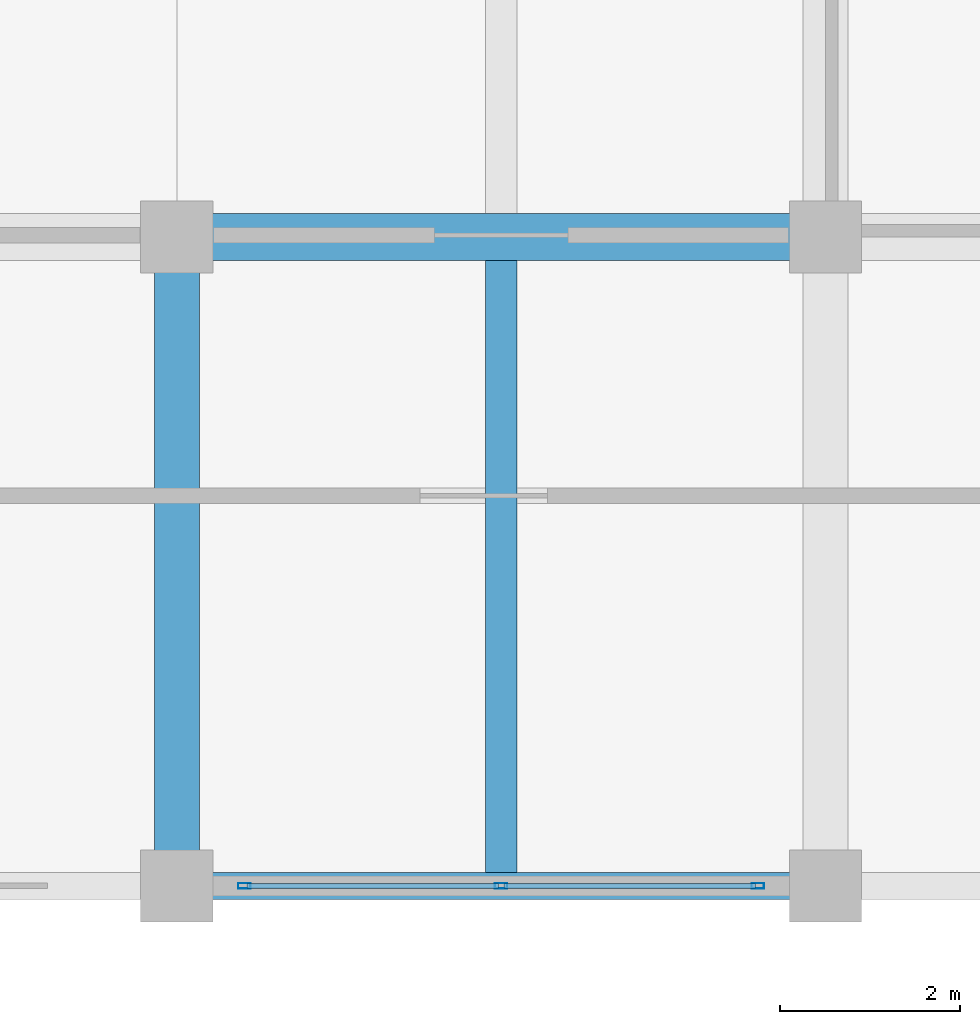
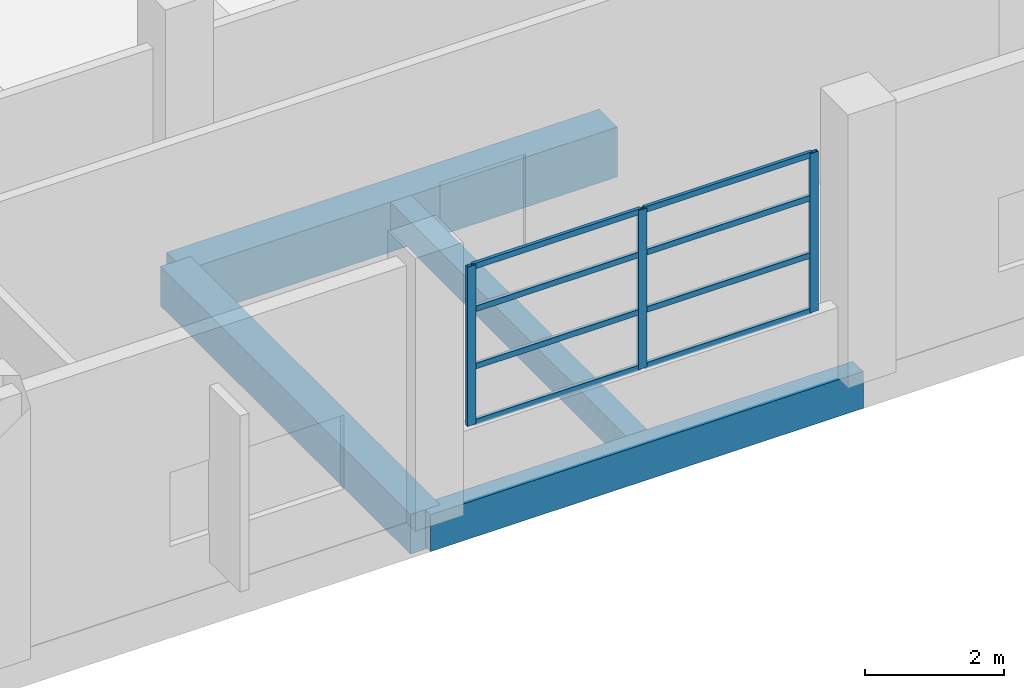
# One storey, part 25 of 140: 11 members, 4 beams, 1 element without a shape of its own.
"""IFC4 building model written with IfcOpenShell, lengths in metres."""

import ifcopenshell
import ifcopenshell.guid

model = None  # the IFC model being written
_history = None  # IfcOwnerHistory: only IFC2X3 demands one
_inside = {}  # id of a spatial element -> (the spatial element, [elements in it])
_under = {}  # id of a project, library or spatial element -> (it, [spatial elements below it])
_declared = {}  # id of a project -> (the project, [libraries it declares])
_typed = {}  # id of a type object -> (the type object, [elements of that type])
_made_of = {}  # id of a material, layer set ... -> (it, [elements and type objects made of it])


def new_model(schema):
    """Start an empty IFC model of exactly this schema.

    Asked for "IFC4X3", IfcOpenShell would pick the latest addendum, in which some entities
    have other attributes; the version numbers below select the first issue.
    IFC2X3 requires an IfcOwnerHistory on every rooted entity: one is made here for all.
    """
    global model, _history
    if schema == "IFC4X3":
        model = ifcopenshell.file(schema_version=(4, 3, 0, 0))
    else:
        model = ifcopenshell.file(schema=schema)
    _inside.clear()
    _under.clear()
    _declared.clear()
    _typed.clear()
    _made_of.clear()
    _history = None
    if model.schema == "IFC2X3":
        org = make("IfcOrganization", Name="unknown")
        user = make(
            "IfcPersonAndOrganization",
            ThePerson=make("IfcPerson", FamilyName="unknown"),
            TheOrganization=org,
        )
        app = make(
            "IfcApplication",
            ApplicationDeveloper=org,
            Version="unknown",
            ApplicationFullName="unknown",
            ApplicationIdentifier="unknown",
        )
        _history = make(
            "IfcOwnerHistory",
            OwningUser=user,
            OwningApplication=app,
            ChangeAction="ADDED",
            CreationDate=0,
        )
    return model


def make(cls, **values):
    """One entity of the class cls with the attributes given. An attribute that is None is left unset."""
    return model.create_entity(
        cls, **{name: value for name, value in values.items() if value is not None}
    )


def rooted(cls, **values):
    """An entity with a GlobalId (a new one), such as an element, a storey or a relation."""
    return make(cls, GlobalId=ifcopenshell.guid.new(), OwnerHistory=_history, **values)


def si_unit(unit_type, name, prefix=None):
    """IfcSIUnit, for example si_unit("LENGTHUNIT", "METRE", prefix="MILLI")."""
    return make("IfcSIUnit", UnitType=unit_type, Prefix=prefix, Name=name)


def assignment(units):
    """IfcUnitAssignment: the units of a project."""
    return None if units is None else make("IfcUnitAssignment", Units=units)


def point(xyz):
    """IfcCartesianPoint."""
    return None if xyz is None else make("IfcCartesianPoint", Coordinates=xyz)


def direction(xyz):
    """IfcDirection."""
    return None if xyz is None else make("IfcDirection", DirectionRatios=xyz)


def frame(location, z_axis=None, x_axis=None):
    """IfcAxis2Placement3D, a coordinate frame: its origin and axes. An axis left out is left unset."""
    return make(
        "IfcAxis2Placement3D",
        Location=point(location),
        Axis=direction(z_axis),
        RefDirection=direction(x_axis),
    )


def frame_2d(location, x_axis=None):
    """IfcAxis2Placement2D, a coordinate frame in the plane: its origin and x axis."""
    return make(
        "IfcAxis2Placement2D", Location=point(location), RefDirection=direction(x_axis)
    )


def origin():
    """The frame at (0, 0, 0) with its axes left unset."""
    return frame((0.0, 0.0, 0.0))


def origin_2d():
    """The frame at (0, 0) in the plane with its x axis left unset."""
    return frame_2d((0.0, 0.0))


def place(relative_to, where):
    """IfcLocalPlacement: puts the frame where relative to a parent placement (None: the world)."""
    return make(
        "IfcLocalPlacement", PlacementRelTo=relative_to, RelativePlacement=where
    )


def context(
    kind, dimensions, precision=None, world=None, true_north=None, identifier=None
):
    """IfcGeometricRepresentationContext, for example the 3D "Model" context."""
    return make(
        "IfcGeometricRepresentationContext",
        ContextIdentifier=identifier,
        ContextType=kind,
        CoordinateSpaceDimension=dimensions,
        Precision=precision,
        WorldCoordinateSystem=world,
        TrueNorth=true_north,
    )


def subcontext(parent, identifier, kind, view, scale=None):
    """IfcGeometricRepresentationSubContext, for example "Body" below "Model"."""
    return make(
        "IfcGeometricRepresentationSubContext",
        ContextIdentifier=identifier,
        ContextType=kind,
        ParentContext=parent,
        TargetScale=scale,
        TargetView=view,
    )


def project(units=None, contexts=None):
    """IfcProject with its units and contexts."""
    return rooted(
        "IfcProject",
        Name="project",
        RepresentationContexts=contexts,
        UnitsInContext=assignment(units),
    )


def spatial(cls, under=None, at=None, **own):
    """A site, building, storey or space (cls), placed at a placement, below another one or the project."""
    s = rooted(cls, ObjectPlacement=at, **own)
    if under is not None:
        _under.setdefault(under.id(), (under, []))[1].append(s)
    return s


def profile(cls, at=None, kind="AREA", **sizes):
    """A parametric profile (cls). Its sizes go by their IFC names, for example OverallWidth=200.0."""
    return make(cls, ProfileType=kind, Position=at, **sizes)


def rectangle(**sizes):
    """IfcRectangleProfileDef."""
    return profile("IfcRectangleProfileDef", **sizes)


def hollow_rectangle(**sizes):
    """IfcRectangleHollowProfileDef."""
    return profile("IfcRectangleHollowProfileDef", **sizes)


def extrude(swept, where, along, depth):
    """IfcExtrudedAreaSolid: the profile swept, set in the frame where, extruded along a direction by depth."""
    return make(
        "IfcExtrudedAreaSolid",
        SweptArea=swept,
        Position=where,
        ExtrudedDirection=direction(along),
        Depth=depth,
    )


def shape(context_of_items, identifier, shape_type, items):
    """IfcShapeRepresentation: the items that make up one representation, for example the "Body"."""
    return make(
        "IfcShapeRepresentation",
        ContextOfItems=context_of_items,
        RepresentationIdentifier=identifier,
        RepresentationType=shape_type,
        Items=items,
    )


def material(Name=None, Category=None):
    """IfcMaterial."""
    return make("IfcMaterial", Name=Name, Category=Category)


def layer(
    of_material, thickness, ventilated=None, Name=None, Category=None, Priority=None
):
    """IfcMaterialLayer: one layer of a wall or slab, of a material (None: an air gap)."""
    return make(
        "IfcMaterialLayer",
        Material=of_material,
        LayerThickness=thickness,
        IsVentilated=ventilated,
        Name=Name,
        Category=Category,
        Priority=Priority,
    )


def layer_set(layers, Name=None):
    """IfcMaterialLayerSet."""
    return make("IfcMaterialLayerSet", MaterialLayers=layers, LayerSetName=Name)


def material_profile(
    of_material, cross_section, Name=None, Category=None, Priority=None
):
    """IfcMaterialProfile: a cross section and its material."""
    return make(
        "IfcMaterialProfile",
        Name=Name,
        Material=of_material,
        Profile=cross_section,
        Priority=Priority,
        Category=Category,
    )


def profile_set(profiles, Name=None, composite=None):
    """IfcMaterialProfileSet."""
    return make(
        "IfcMaterialProfileSet",
        Name=Name,
        MaterialProfiles=profiles,
        CompositeProfile=composite,
    )


def made_of(thing, what):
    """Note that an element or type object is made of a material, layer set ...; save() writes the relation."""
    if what is not None:
        _made_of.setdefault(what.id(), (what, []))[1].append(thing)
    return thing


def type_object(cls, material=None, **own):
    """A type object (cls), such as IfcWallType, which elements share."""
    return made_of(rooted(cls, **own), material)


def element(
    cls,
    number,
    at=None,
    inside=None,
    cuts=None,
    type_object=None,
    material=None,
    context=None,
    identifier="Body",
    shape_type=None,
    held_by="IfcProductDefinitionShape",
    body=None,
    shapes=None,
    **own,
):
    """One element of the class cls, such as IfcWall. Its Tag is "e" and its number.

    at: its placement. inside: the storey or other place that contains it. cuts: it is an
    opening in that element (IfcRelVoidsElement). A single representation is given by context,
    identifier, shape_type and body (its items); several are given by shapes. held_by: the class
    of the entity that holds the representations. save() writes the other relations.
    """
    e = rooted(cls, Tag="e%d" % number, ObjectPlacement=at, **own)
    if body is not None:
        shapes = [shape(context, identifier, shape_type, body)]
    if shapes is not None:
        e.Representation = make(held_by, Representations=shapes)
    if inside is not None:
        _inside.setdefault(inside.id(), (inside, []))[1].append(e)
    if cuts is not None:
        rooted(
            "IfcRelVoidsElement", RelatingBuildingElement=cuts, RelatedOpeningElement=e
        )
    if type_object is not None:
        _typed.setdefault(type_object.id(), (type_object, []))[1].append(e)
    return made_of(e, material)


def aggregate(whole, parts):
    """IfcRelAggregates: a whole, such as a stair, and the parts it consists of."""
    return rooted("IfcRelAggregates", RelatingObject=whole, RelatedObjects=parts)


def save(model, path):
    """Write the relations noted so far, then the file.

    IfcRelAggregates (storeys below a building ...), IfcRelContainedInSpatialStructure (elements
    in a storey), IfcRelDefinesByType, IfcRelAssociatesMaterial and IfcRelDeclares: one each for
    every whole, place, type object, material and project.
    """
    for whole, parts in _under.values():
        aggregate(whole, parts)
    for where, things in _inside.values():
        rooted(
            "IfcRelContainedInSpatialStructure",
            RelatedElements=things,
            RelatingStructure=where,
        )
    for kind, things in _typed.values():
        rooted("IfcRelDefinesByType", RelatedObjects=things, RelatingType=kind)
    for what, things in _made_of.values():
        rooted("IfcRelAssociatesMaterial", RelatedObjects=things, RelatingMaterial=what)
    for by, libraries in _declared.values():
        rooted("IfcRelDeclares", RelatingContext=by, RelatedDefinitions=libraries)
    model.write(path)


model = new_model("IFC4")

# Units and contexts
model_context = context("Model", 3, precision=1e-05, world=origin(), true_north=direction((0.0, 1.0)))
body_context = subcontext(model_context, "Body", "Model", "MODEL_VIEW")
ifc_project = project(units=[si_unit("LENGTHUNIT", "METRE"), si_unit("AREAUNIT", "SQUARE_METRE"), si_unit("VOLUMEUNIT", "CUBIC_METRE"), si_unit("PLANEANGLEUNIT", "RADIAN"), si_unit("MASSUNIT", "GRAM", prefix="KILO")], contexts=[model_context])

# Site, building, storey
site_placement = place(None, origin())
site = spatial("IfcSite", under=ifc_project, at=site_placement, CompositionType="ELEMENT")
building_placement = place(site_placement, origin())
building = spatial("IfcBuilding", under=site, at=building_placement, Name="Seraya Terrace Polytechnic", CompositionType="ELEMENT")
storey_placement = place(building_placement, frame((0.0, 0.0, 9.60009765625)))
storey = spatial("IfcBuildingStorey", under=building, at=storey_placement, Name="L02", CompositionType="ELEMENT", Elevation=9.60009765625)

# Beams
ifc_material_1 = material(Name="Concrete C40/50", Category="concrete")
ifc_material_profile_1 = material_profile(ifc_material_1, rectangle(XDim=0.52001953125, YDim=0.8798828125, at=origin_2d()), Name="RC 520x880")
ifc_profile_set_1 = profile_set([ifc_material_profile_1], Name="Concrete C40/50")
beam_type_1 = type_object("IfcBeamType", Name="BM-04", PredefinedType="BEAM", material=ifc_profile_set_1)
beam_1_placement = place(storey_placement, frame((64.800048828125, 7.199951171875, -0.440185546875), z_axis=(1.0, 0.0, 0.0), x_axis=(0.0, 1.0, 0.0)))
element("IfcBeam", 1, at=beam_1_placement, inside=storey, type_object=beam_type_1, Name="Beam BM-04 L02 X (64.8..72.0, 7.2)", PredefinedType="BEAM", context=body_context, shape_type="SweptSolid", body=[
    extrude(rectangle(XDim=0.52001953125, YDim=0.8798828125, at=origin_2d()), origin(), (0.0, 0.0, 1.0), 7.199951171875),
])
ifc_material_profile_2 = material_profile(ifc_material_1, rectangle(XDim=0.5, YDim=0.699951171875, at=origin_2d()), Name="RC 500x700")
ifc_profile_set_2 = profile_set([ifc_material_profile_2], Name="Concrete C40/50")
beam_type_2 = type_object("IfcBeamType", Name="BM-07", PredefinedType="BEAM", material=ifc_profile_set_2)
beam_2_placement = place(storey_placement, frame((64.800048828125, 0.0, -0.35009765625), z_axis=(0.0, 1.0, 0.0), x_axis=(-1.0, 0.0, 0.0)))
element("IfcBeam", 2, at=beam_2_placement, inside=storey, type_object=beam_type_2, Name="Beam BM-07 L02 Y (64.8, 0.0..7.2)", PredefinedType="BEAM", context=body_context, shape_type="SweptSolid", body=[
    extrude(rectangle(XDim=0.5, YDim=0.699951171875, at=origin_2d()), origin(), (0.0, 0.0, 1.0), 7.199951171875),
])

# Curtain wall, members
ifc_material_2 = material(Name="Anodised aluminium EN AW-6063 T6", Category="aluminium")
ifc_layer = layer(ifc_material_2, 0.179931640625, Name="CW-03")
ifc_layer_set = layer_set([ifc_layer], Name="Anodised aluminium EN AW-6063 T6")
curtain_wall_type = type_object("IfcCurtainWallType", Name="CW-03", PredefinedType="NOTDEFINED", material=ifc_layer_set)
curtain_wall_placement = place(storey_placement, origin())
curtain_wall = element("IfcCurtainWall", 3, at=curtain_wall_placement, inside=storey, type_object=curtain_wall_type, Name="Unitised curtain wall CW-03 (CW-L02-075)", PredefinedType="NOTDEFINED")
ifc_material_profile_3 = material_profile(ifc_material_2, hollow_rectangle(XDim=0.06005859375, YDim=0.139892578125, WallThickness=0.00341796875, at=origin_2d()), Name="RHS 140x60x3.5")
ifc_profile_set_3 = profile_set([ifc_material_profile_3], Name="Anodised aluminium EN AW-6063 T6")
member_type_1 = type_object("IfcMemberType", Name="CWM-03", PredefinedType="MULLION", material=ifc_profile_set_3)
member_1_placement = place(storey_placement, frame((71.25, 0.0, 1.239990234375), z_axis=(0.0, 0.0, 1.0), x_axis=(0.0, -1.0, 0.0)))
member_1 = element("IfcMember", 4, at=member_1_placement, type_object=member_type_1, Name="CW-03 mullion 1", PredefinedType="MULLION", context=body_context, shape_type="SweptSolid", body=[
    extrude(hollow_rectangle(XDim=0.06005859375, YDim=0.139892578125, WallThickness=0.00341796875, at=origin_2d()), origin(), (0.0, 0.0, 1.0), 2.7998046875),
])
member_2_placement = place(storey_placement, frame((68.39990234375, 0.0, 1.239990234375), z_axis=(0.0, 0.0, 1.0), x_axis=(0.0, -1.0, 0.0)))
member_2 = element("IfcMember", 5, at=member_2_placement, type_object=member_type_1, Name="CW-03 mullion 2", PredefinedType="MULLION", context=body_context, shape_type="SweptSolid", body=[
    extrude(hollow_rectangle(XDim=0.06005859375, YDim=0.139892578125, WallThickness=0.00341796875, at=origin_2d()), origin(), (0.0, 0.0, 1.0), 2.7998046875),
])
member_3_placement = place(storey_placement, frame((65.550048828125, 0.0, 1.239990234375), z_axis=(0.0, 0.0, 1.0), x_axis=(0.0, -1.0, 0.0)))
member_3 = element("IfcMember", 6, at=member_3_placement, type_object=member_type_1, Name="CW-03 mullion 3", PredefinedType="MULLION", context=body_context, shape_type="SweptSolid", body=[
    extrude(hollow_rectangle(XDim=0.06005859375, YDim=0.139892578125, WallThickness=0.00341796875, at=origin_2d()), origin(), (0.0, 0.0, 1.0), 2.7998046875),
])
ifc_material_profile_4 = material_profile(ifc_material_2, hollow_rectangle(XDim=0.054931640625, YDim=0.10009765625, WallThickness=0.0029296875, at=origin_2d()), Name="RHS 100x55x3.0")
ifc_profile_set_4 = profile_set([ifc_material_profile_4], Name="Anodised aluminium EN AW-6063 T6")
member_type_2 = type_object("IfcMemberType", Name="CWT-03", PredefinedType="USERDEFINED", material=ifc_profile_set_4)
member_4_placement = place(storey_placement, frame((71.219970703125, 0.0, 1.267333984375), z_axis=(-1.0, 0.0, 0.0), x_axis=(0.0, -1.0, 0.0)))
member_4 = element("IfcMember", 7, at=member_4_placement, type_object=member_type_2, Name="CW-03 transom 1.1", ObjectType="TRANSOM", PredefinedType="USERDEFINED", context=body_context, shape_type="SweptSolid", body=[
    extrude(hollow_rectangle(XDim=0.054931640625, YDim=0.10009765625, WallThickness=0.0029296875, at=origin_2d()), origin(), (0.0, 0.0, 1.0), 2.7900390625),
])
member_5_placement = place(storey_placement, frame((71.219970703125, 0.0, 2.247802734375), z_axis=(-1.0, 0.0, 0.0), x_axis=(0.0, -1.0, 0.0)))
member_5 = element("IfcMember", 8, at=member_5_placement, type_object=member_type_2, Name="CW-03 transom 1.2", ObjectType="TRANSOM", PredefinedType="USERDEFINED", context=body_context, shape_type="SweptSolid", body=[
    extrude(hollow_rectangle(XDim=0.054931640625, YDim=0.10009765625, WallThickness=0.0029296875, at=origin_2d()), origin(), (0.0, 0.0, 1.0), 2.7900390625),
])
member_6_placement = place(storey_placement, frame((71.219970703125, 0.0, 3.255859375), z_axis=(-1.0, 0.0, 0.0), x_axis=(0.0, -1.0, 0.0)))
member_6 = element("IfcMember", 9, at=member_6_placement, type_object=member_type_2, Name="CW-03 transom 1.3", ObjectType="TRANSOM", PredefinedType="USERDEFINED", context=body_context, shape_type="SweptSolid", body=[
    extrude(hollow_rectangle(XDim=0.054931640625, YDim=0.10009765625, WallThickness=0.0029296875, at=origin_2d()), origin(), (0.0, 0.0, 1.0), 2.7900390625),
])
member_7_placement = place(storey_placement, frame((71.219970703125, 0.0, 4.012451171875), z_axis=(-1.0, 0.0, 0.0), x_axis=(0.0, -1.0, 0.0)))
member_7 = element("IfcMember", 10, at=member_7_placement, type_object=member_type_2, Name="CW-03 transom 1.4", ObjectType="TRANSOM", PredefinedType="USERDEFINED", context=body_context, shape_type="SweptSolid", body=[
    extrude(hollow_rectangle(XDim=0.054931640625, YDim=0.10009765625, WallThickness=0.0029296875, at=origin_2d()), origin(), (0.0, 0.0, 1.0), 2.7900390625),
])
member_8_placement = place(storey_placement, frame((68.3701171875, 0.0, 1.267333984375), z_axis=(-1.0, 0.0, 0.0), x_axis=(0.0, -1.0, 0.0)))
member_8 = element("IfcMember", 11, at=member_8_placement, type_object=member_type_2, Name="CW-03 transom 2.1", ObjectType="TRANSOM", PredefinedType="USERDEFINED", context=body_context, shape_type="SweptSolid", body=[
    extrude(hollow_rectangle(XDim=0.054931640625, YDim=0.10009765625, WallThickness=0.0029296875, at=origin_2d()), origin(), (0.0, 0.0, 1.0), 2.7900390625),
])
member_9_placement = place(storey_placement, frame((68.3701171875, 0.0, 2.247802734375), z_axis=(-1.0, 0.0, 0.0), x_axis=(0.0, -1.0, 0.0)))
member_9 = element("IfcMember", 12, at=member_9_placement, type_object=member_type_2, Name="CW-03 transom 2.2", ObjectType="TRANSOM", PredefinedType="USERDEFINED", context=body_context, shape_type="SweptSolid", body=[
    extrude(hollow_rectangle(XDim=0.054931640625, YDim=0.10009765625, WallThickness=0.0029296875, at=origin_2d()), origin(), (0.0, 0.0, 1.0), 2.7900390625),
])
member_10_placement = place(storey_placement, frame((68.3701171875, 0.0, 3.255859375), z_axis=(-1.0, 0.0, 0.0), x_axis=(0.0, -1.0, 0.0)))
member_10 = element("IfcMember", 13, at=member_10_placement, type_object=member_type_2, Name="CW-03 transom 2.3", ObjectType="TRANSOM", PredefinedType="USERDEFINED", context=body_context, shape_type="SweptSolid", body=[
    extrude(hollow_rectangle(XDim=0.054931640625, YDim=0.10009765625, WallThickness=0.0029296875, at=origin_2d()), origin(), (0.0, 0.0, 1.0), 2.7900390625),
])
member_11_placement = place(storey_placement, frame((68.3701171875, 0.0, 4.012451171875), z_axis=(-1.0, 0.0, 0.0), x_axis=(0.0, -1.0, 0.0)))
member_11 = element("IfcMember", 14, at=member_11_placement, type_object=member_type_2, Name="CW-03 transom 2.4", ObjectType="TRANSOM", PredefinedType="USERDEFINED", context=body_context, shape_type="SweptSolid", body=[
    extrude(hollow_rectangle(XDim=0.054931640625, YDim=0.10009765625, WallThickness=0.0029296875, at=origin_2d()), origin(), (0.0, 0.0, 1.0), 2.7900390625),
])
aggregate(curtain_wall, [member_1, member_2, member_3, member_4, member_5, member_6, member_7, member_8, member_9, member_10, member_11])

# Beams
ifc_material_profile_5 = material_profile(ifc_material_1, rectangle(XDim=0.35009765625, YDim=0.5, at=origin_2d()), Name="RC 350x500")
ifc_profile_set_5 = profile_set([ifc_material_profile_5], Name="Concrete C40/50")
beam_type_3 = type_object("IfcBeamType", Name="JS-03", PredefinedType="JOIST", material=ifc_profile_set_5)
beam_3_placement = place(storey_placement, frame((68.39990234375, 0.14990234375, -0.25), z_axis=(0.0, 1.0, 0.0), x_axis=(-1.0, 0.0, 0.0)))
element("IfcBeam", 15, at=beam_3_placement, inside=storey, type_object=beam_type_3, Name="Secondary joist JS-03 L02", PredefinedType="JOIST", context=body_context, shape_type="SweptSolid", body=[
    extrude(rectangle(XDim=0.35009765625, YDim=0.5, at=origin_2d()), origin(), (0.0, 0.0, 1.0), 6.7900390625),
])
ifc_material_profile_6 = material_profile(ifc_material_1, rectangle(XDim=0.300048828125, YDim=0.64990234375, at=origin_2d()), Name="RC 300x650")
ifc_profile_set_6 = profile_set([ifc_material_profile_6], Name="Concrete C40/50")
beam_type_4 = type_object("IfcBeamType", Name="SP-01", PredefinedType="SPANDREL", material=ifc_profile_set_6)
beam_4_placement = place(storey_placement, frame((64.800048828125, 0.0, -0.3251953125), z_axis=(1.0, 0.0, 0.0), x_axis=(0.0, 1.0, 0.0)))
element("IfcBeam", 16, at=beam_4_placement, inside=storey, type_object=beam_type_4, Name="Beam SP-01 L02 X (64.8..72.0, 0.0)", PredefinedType="SPANDREL", context=body_context, shape_type="SweptSolid", body=[
    extrude(rectangle(XDim=0.300048828125, YDim=0.64990234375, at=origin_2d()), origin(), (0.0, 0.0, 1.0), 7.199951171875),
])

save(model, "model.ifc")
